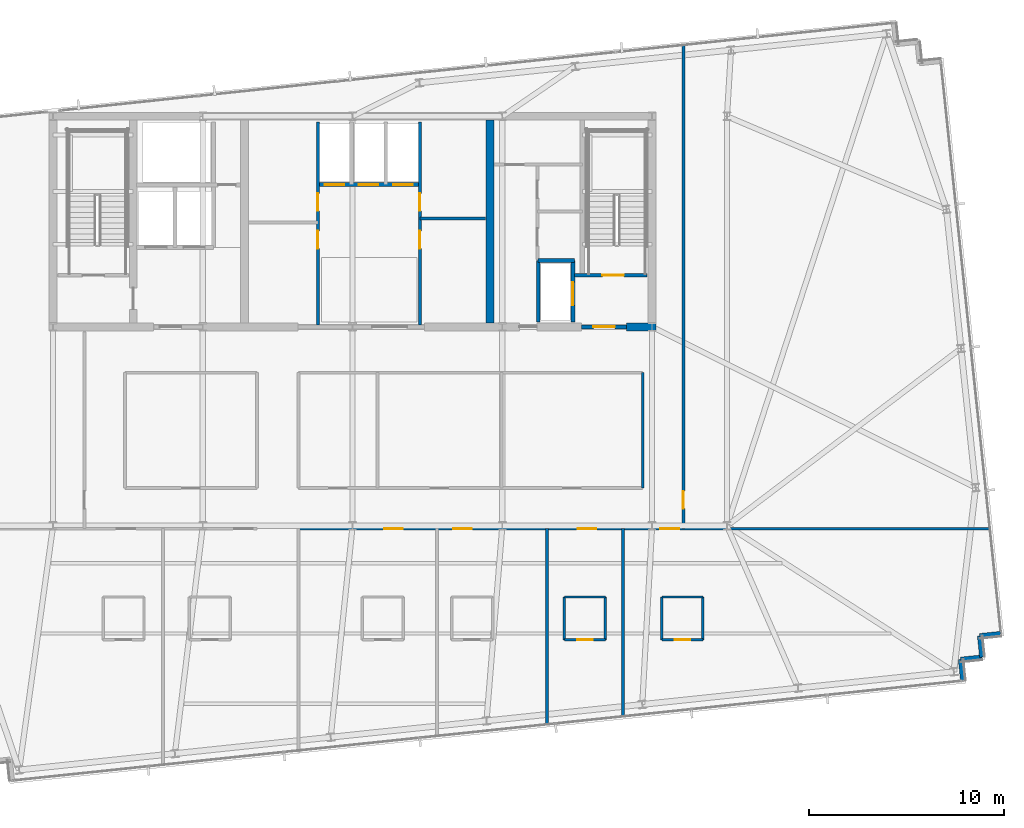
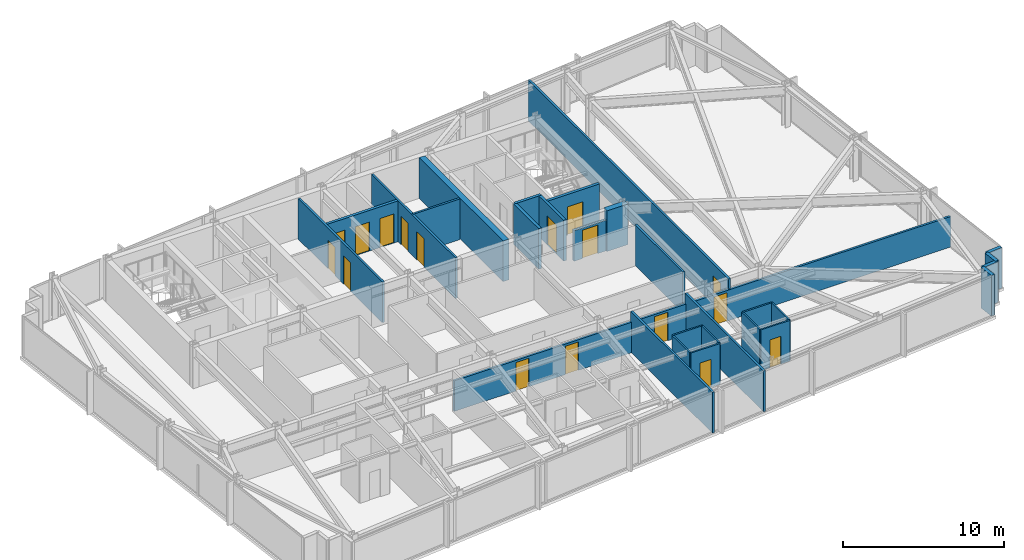
# One storey, part 28 of 33: 28 walls, 17 doors, 17 openings.
"""IFC4 building model written with IfcOpenShell, lengths in metres."""

from ifc_helpers import new_model, si_unit, direction, frame, frame_2d, origin, place, context, subcontext, project, spatial, rectangle, extrude, material, layer, layer_set, type_object, element, fill, save


model = new_model("IFC4")

# Units and contexts
model_context = context("Model", 3, precision=1e-05, world=origin(), true_north=direction((0.0, 1.0)))
body_context = subcontext(model_context, "Body", "Model", "MODEL_VIEW")
ifc_project = project(units=[si_unit("LENGTHUNIT", "METRE"), si_unit("AREAUNIT", "SQUARE_METRE"), si_unit("VOLUMEUNIT", "CUBIC_METRE"), si_unit("PLANEANGLEUNIT", "RADIAN"), si_unit("MASSUNIT", "GRAM", prefix="KILO")], contexts=[model_context])

# Site, building, storey
site_placement = place(None, origin())
site = spatial("IfcSite", under=ifc_project, at=site_placement, CompositionType="ELEMENT")
building_placement = place(site_placement, origin())
building = spatial("IfcBuilding", under=site, at=building_placement, Name="Yelkora Congress Tower", CompositionType="ELEMENT")
storey_placement = place(building_placement, frame((0.0, 0.0, 237.5)))
storey = spatial("IfcBuildingStorey", under=building, at=storey_placement, Name="L66", CompositionType="ELEMENT", Elevation=237.5)

# Walls
ifc_material_1 = material(Name="Concrete C50/60", Category="concrete")
ifc_layer_1 = layer(ifc_material_1, 0.39990234375)
ifc_layer_set_1 = layer_set([ifc_layer_1], Name="Concrete C50/60")
wall_type_1 = type_object("IfcWallType", Name="WALL-CORE-INT-400", PredefinedType="SHEAR", material=ifc_layer_set_1)
wall_1_placement = place(storey_placement, frame((52.449951171875, 35.39990234375, 0.0), z_axis=(0.0, 0.0, 1.0), x_axis=(1.0, 0.0, 0.0)))
element("IfcWall", 1, at=wall_1_placement, inside=storey, type_object=wall_type_1, Name="L66 Rear Core South-East Shear Wall B", PredefinedType="SHEAR", context=body_context, shape_type="SweptSolid", body=[
    extrude(rectangle(XDim=1.510009765625, YDim=0.39990234375, at=frame_2d((0.7548828125, 0.0))), origin(), (0.0, 0.0, 1.0), 3.080078125),
])
wall_2_placement = place(storey_placement, frame((45.449951171875, 35.60009765625, 0.0), z_axis=(0.0, 0.0, 1.0), x_axis=(0.0, 1.0, 0.0)))
element("IfcWall", 2, at=wall_2_placement, inside=storey, type_object=wall_type_1, Name="L66 Rear Core Cross Shear Wall C3", PredefinedType="SHEAR", context=body_context, shape_type="SweptSolid", body=[
    extrude(rectangle(XDim=10.39990234375, YDim=0.39990234375, at=frame_2d((5.199951171875, 0.0))), origin(), (0.0, 0.0, 1.0), 3.080078125),
])
ifc_material_2 = material(Name="Concrete C40/50", Category="concrete")
ifc_layer_2 = layer(ifc_material_2, 0.239990234375)
ifc_layer_set_2 = layer_set([ifc_layer_2], Name="Concrete C40/50")
wall_type_2 = type_object("IfcWallType", Name="WALL-EXT-LIMESTONE-240", PredefinedType="SOLIDWALL", material=ifc_layer_set_2)
for number, where, z_axis, x_axis, name in (
    (3, (71.654052734375, 19.67041015625, 0.0), (0.0, 0.0, 1.0), (-0.994521251134, -0.104534592565, 0.0), "L66 Serrated Corner Limestone Pier 16"),
    (4, (70.56005859375, 19.555419921875, 0.0), (0.0, 0.0, 1.0), (0.104534592565, -0.994521251134, 0.0), "L66 Serrated Corner Limestone Pier 17"),
    (5, (70.675048828125, 18.46142578125, 0.0), (0.0, 0.0, 1.0), (-0.994521251134, -0.104534592565, 0.0), "L66 Serrated Corner Limestone Pier 18"),
    (6, (69.5810546875, 18.346435546875, 0.0), (0.0, 0.0, 1.0), (0.104534592565, -0.994521251134, 0.0), "L66 Serrated Corner Limestone Pier 19"),
):
    element("IfcWall", number, at=place(storey_placement, frame(where, z_axis=z_axis, x_axis=x_axis)), inside=storey, type_object=wall_type_2, Name=name, PredefinedType="SOLIDWALL", context=body_context, shape_type="SweptSolid", body=[
        extrude(rectangle(XDim=1.10009765625, YDim=0.239990234375, at=frame_2d((0.550048828125, 0.0))), origin(), (0.0, 0.0, 1.0), 3.080078125),
    ])
ifc_material_3 = material(Name="Moisture-resistant gypsum partition", Category="gypsum")
ifc_layer_3 = layer(ifc_material_3, 0.1201171875)
ifc_layer_set_3 = layer_set([ifc_layer_3], Name="Moisture-resistant gypsum partition")
wall_type_3 = type_object("IfcWallType", Name="WALL-INT-120-NR", PredefinedType="PARTITIONING", material=ifc_layer_set_3)
wall_3_placement = place(storey_placement, frame((49.261962890625, 21.550048828125, 0.0), z_axis=(0.0, 0.0, 1.0), x_axis=(1.0, 0.0, 0.0)))
element("IfcWall", 7, at=wall_3_placement, inside=storey, type_object=wall_type_3, Name="L66 Partition Wall 42", PredefinedType="PARTITIONING", context=body_context, shape_type="SweptSolid", body=[
    extrude(rectangle(XDim=2.10009765625, YDim=0.1201171875, at=frame_2d((1.050048828125, 0.0))), origin(), (0.0, 0.0, 1.0), 3.080078125),
])
for number, where, z_axis, x_axis, name in (
    (8, (49.261962890625, 19.35009765625, 0.0), (0.0, 0.0, 1.0), (0.0, 1.0, 0.0), "L66 Partition Wall 43"),
    (9, (51.362060546875, 19.35009765625, 0.0), (0.0, 0.0, 1.0), (0.0, 1.0, 0.0), "L66 Partition Wall 44"),
):
    element("IfcWall", number, at=place(storey_placement, frame(where, z_axis=z_axis, x_axis=x_axis)), inside=storey, type_object=wall_type_3, Name=name, PredefinedType="PARTITIONING", context=body_context, shape_type="SweptSolid", body=[
        extrude(rectangle(XDim=2.199951171875, YDim=0.1201171875, at=frame_2d((1.10009765625, 0.0))), origin(), (0.0, 0.0, 1.0), 3.080078125),
    ])

# Wall, opening, door
wall_4_placement = place(storey_placement, frame((49.261962890625, 19.35009765625, 0.0), z_axis=(0.0, 0.0, 1.0), x_axis=(1.0, 0.0, 0.0)))
wall_4 = element("IfcWall", 10, at=wall_4_placement, inside=storey, type_object=wall_type_3, Name="L66 Partition Wall 45", PredefinedType="PARTITIONING", context=body_context, shape_type="SweptSolid", body=[
    extrude(rectangle(XDim=2.10009765625, YDim=0.1201171875, at=frame_2d((1.050048828125, 0.0))), origin(), (0.0, 0.0, 1.0), 3.080078125),
])
opening_1_placement = place(wall_4_placement, frame((0.64990234375, 0.0, 0.0)))
opening_1 = element("IfcOpeningElement", 11, at=opening_1_placement, cuts=wall_4, Name="Opening DR-080B", PredefinedType="OPENING", context=body_context, shape_type="SweptSolid", body=[
    extrude(rectangle(XDim=0.800048828125, YDim=2.10009765625, at=frame_2d((0.39990234375, 1.050048828125))), frame((0.0, 0.070068359375, 0.0), z_axis=(0.0, -1.0, 0.0), x_axis=(1.0, 0.0, 0.0)), (0.0, 0.0, 1.0), 0.14013671875),
])
ifc_material_4 = material(Name="Moisture-sealed en-suite timber door", Category="wood")
door_type_1 = type_object("IfcDoorType", Name="DOOR-BATH-800", OperationType="NOTDEFINED", PredefinedType="DOOR", material=ifc_material_4)
door_1_placement = place(opening_1_placement, origin())
door_1 = element("IfcDoor", 12, at=door_1_placement, inside=storey, type_object=door_type_1, Name="L66 En-suite Door 6", OperationType="SINGLE_SWING_RIGHT", OverallHeight=2.10009765625, OverallWidth=0.800048828125, PredefinedType="DOOR", context=body_context, shape_type="SweptSolid", body=[
    extrude(rectangle(XDim=0.800048828125, YDim=2.10009765625, at=frame_2d((0.39990234375, 1.050048828125))), frame((0.0, 0.02490234375, 0.0), z_axis=(0.0, -1.0, 0.0), x_axis=(1.0, 0.0, 0.0)), (0.0, 0.0, 1.0), 0.050048828125),
])
fill(opening_1, door_1)

# Walls
wall_5_placement = place(storey_placement, frame((54.260009765625, 21.550048828125, 0.0), z_axis=(0.0, 0.0, 1.0), x_axis=(1.0, 0.0, 0.0)))
element("IfcWall", 13, at=wall_5_placement, inside=storey, type_object=wall_type_3, Name="L66 Partition Wall 47", PredefinedType="PARTITIONING", context=body_context, shape_type="SweptSolid", body=[
    extrude(rectangle(XDim=2.10009765625, YDim=0.1201171875, at=frame_2d((1.050048828125, 0.0))), origin(), (0.0, 0.0, 1.0), 3.080078125),
])
for number, where, z_axis, x_axis, name in (
    (14, (54.260009765625, 19.35009765625, 0.0), (0.0, 0.0, 1.0), (0.0, 1.0, 0.0), "L66 Partition Wall 48"),
    (15, (56.360107421875, 19.35009765625, 0.0), (0.0, 0.0, 1.0), (0.0, 1.0, 0.0), "L66 Partition Wall 49"),
):
    element("IfcWall", number, at=place(storey_placement, frame(where, z_axis=z_axis, x_axis=x_axis)), inside=storey, type_object=wall_type_3, Name=name, PredefinedType="PARTITIONING", context=body_context, shape_type="SweptSolid", body=[
        extrude(rectangle(XDim=2.199951171875, YDim=0.1201171875, at=frame_2d((1.10009765625, 0.0))), origin(), (0.0, 0.0, 1.0), 3.080078125),
    ])

# Wall, opening, door
wall_6_placement = place(storey_placement, frame((54.260009765625, 19.35009765625, 0.0), z_axis=(0.0, 0.0, 1.0), x_axis=(1.0, 0.0, 0.0)))
wall_6 = element("IfcWall", 16, at=wall_6_placement, inside=storey, type_object=wall_type_3, Name="L66 Partition Wall 50", PredefinedType="PARTITIONING", context=body_context, shape_type="SweptSolid", body=[
    extrude(rectangle(XDim=2.10009765625, YDim=0.1201171875, at=frame_2d((1.050048828125, 0.0))), origin(), (0.0, 0.0, 1.0), 3.080078125),
])
opening_2_placement = place(wall_6_placement, frame((0.64990234375, 0.0, 0.0)))
opening_2 = element("IfcOpeningElement", 17, at=opening_2_placement, cuts=wall_6, Name="Opening DR-080B", PredefinedType="OPENING", context=body_context, shape_type="SweptSolid", body=[
    extrude(rectangle(XDim=0.800048828125, YDim=2.10009765625, at=frame_2d((0.39990234375, 1.050048828125))), frame((0.0, 0.070068359375, 0.0), z_axis=(0.0, -1.0, 0.0), x_axis=(1.0, 0.0, 0.0)), (0.0, 0.0, 1.0), 0.14013671875),
])
door_2_placement = place(opening_2_placement, origin())
door_2 = element("IfcDoor", 18, at=door_2_placement, inside=storey, type_object=door_type_1, Name="L66 En-suite Door 7", OperationType="SINGLE_SWING_LEFT", OverallHeight=2.10009765625, OverallWidth=0.800048828125, PredefinedType="DOOR", context=body_context, shape_type="SweptSolid", body=[
    extrude(rectangle(XDim=0.800048828125, YDim=2.10009765625, at=frame_2d((0.39990234375, 1.050048828125))), frame((0.0, 0.02490234375, 0.0), z_axis=(0.0, -1.0, 0.0), x_axis=(1.0, 0.0, 0.0)), (0.0, 0.0, 1.0), 0.050048828125),
])
fill(opening_2, door_2)

ifc_material_5 = material(Name="Acoustic metal-stud gypsum partition", Category="gypsum")
ifc_layer_4 = layer(ifc_material_5, 0.14990234375)
ifc_layer_set_4 = layer_set([ifc_layer_4], Name="Acoustic metal-stud gypsum partition")
wall_type_4 = type_object("IfcWallType", Name="WALL-INT-150-NR", PredefinedType="PARTITIONING", material=ifc_layer_set_4)
wall_7_placement = place(storey_placement, frame((55.360107421875, 25.050048828125, 0.0), z_axis=(0.0, 0.0, 1.0), x_axis=(0.0, 1.0, 0.0)))
wall_7 = element("IfcWall", 19, at=wall_7_placement, inside=storey, type_object=wall_type_4, Name="L66 Partition Wall 55", PredefinedType="PARTITIONING", context=body_context, shape_type="SweptSolid", body=[
    extrude(rectangle(XDim=24.86279296875, YDim=0.14990234375, at=frame_2d((12.431396484375, 0.0))), origin(), (0.0, 0.0, 1.0), 3.080078125),
])
opening_3_placement = place(wall_7_placement, frame((1.030029296875, 0.0, 0.0)))
opening_3 = element("IfcOpeningElement", 20, at=opening_3_placement, cuts=wall_7, Name="Opening DR-090N", PredefinedType="OPENING", context=body_context, shape_type="SweptSolid", body=[
    extrude(rectangle(XDim=0.89990234375, YDim=2.14990234375, at=frame_2d((0.449951171875, 1.074951171875))), frame((0.0, 0.0849609375, 0.0), z_axis=(0.0, -1.0, 0.0), x_axis=(1.0, 0.0, 0.0)), (0.0, 0.0, 1.0), 0.169921875),
])
ifc_material_6 = material(Name="Moisture-resistant laminate door leaf", Category="wood")
door_type_2 = type_object("IfcDoorType", Name="DOOR-INT-900", OperationType="NOTDEFINED", PredefinedType="DOOR", material=ifc_material_6)
door_3_placement = place(opening_3_placement, origin())
door_3 = element("IfcDoor", 21, at=door_3_placement, inside=storey, type_object=door_type_2, Name="L66 E Wing Door", OperationType="SINGLE_SWING_LEFT", OverallHeight=2.14990234375, OverallWidth=0.89990234375, PredefinedType="DOOR", context=body_context, shape_type="SweptSolid", body=[
    extrude(rectangle(XDim=0.89990234375, YDim=2.14990234375, at=frame_2d((0.449951171875, 1.074951171875))), frame((0.0, 0.02490234375, 0.0), z_axis=(0.0, -1.0, 0.0), x_axis=(1.0, 0.0, 0.0)), (0.0, 0.0, 1.0), 0.050048828125),
])
fill(opening_3, door_3)

# Wall
wall_8_placement = place(storey_placement, frame((53.280029296875, 27.1298828125, 0.0), z_axis=(0.0, 0.0, 1.0), x_axis=(0.0, 1.0, 0.0)))
element("IfcWall", 22, at=wall_8_placement, inside=storey, type_object=wall_type_4, Name="L66 Partition Wall 57", PredefinedType="PARTITIONING", context=body_context, shape_type="SweptSolid", body=[
    extrude(rectangle(XDim=5.920166015625, YDim=0.14990234375, at=frame_2d((2.9599609375, 0.0))), origin(), (0.0, 0.0, 1.0), 3.080078125),
])

# Wall, openings, doors
ifc_material_7 = material(Name="Twin-stud fire-rated gypsum partition", Category="gypsum")
ifc_layer_5 = layer(ifc_material_7, 0.14990234375)
ifc_layer_set_5 = layer_set([ifc_layer_5], Name="Twin-stud fire-rated gypsum partition")
wall_type_5 = type_object("IfcWallType", Name="WALL-INT-150-R60", PredefinedType="PARTITIONING", material=ifc_layer_set_5)
wall_9_placement = place(storey_placement, frame((36.6201171875, 35.5, 0.0), z_axis=(0.0, 0.0, 1.0), x_axis=(0.0, 1.0, 0.0)))
wall_9 = element("IfcWall", 23, at=wall_9_placement, inside=storey, type_object=wall_type_5, Name="L66 Partition Wall 12", PredefinedType="PARTITIONING", context=body_context, shape_type="SweptSolid", body=[
    extrude(rectangle(XDim=10.419921875, YDim=0.14990234375, at=frame_2d((5.2099609375, 0.0))), origin(), (0.0, 0.0, 1.0), 3.080078125),
])
opening_4_placement = place(wall_9_placement, frame((3.919921875, 0.0, 0.0)))
opening_4 = element("IfcOpeningElement", 24, at=opening_4_placement, cuts=wall_9, Name="Opening DR-090F6", PredefinedType="OPENING", context=body_context, shape_type="SweptSolid", body=[
    extrude(rectangle(XDim=0.89990234375, YDim=2.14990234375, at=frame_2d((0.449951171875, 1.074951171875))), frame((0.0, 0.0849609375, 0.0), z_axis=(0.0, -1.0, 0.0), x_axis=(1.0, 0.0, 0.0)), (0.0, 0.0, 1.0), 0.169921875),
])
opening_5_placement = place(wall_9_placement, frame((5.85009765625, 0.0, 0.0)))
opening_5 = element("IfcOpeningElement", 25, at=opening_5_placement, cuts=wall_9, Name="Opening DR-090F6", PredefinedType="OPENING", context=body_context, shape_type="SweptSolid", body=[
    extrude(rectangle(XDim=0.89990234375, YDim=2.14990234375, at=frame_2d((0.449951171875, 1.074951171875))), frame((0.0, 0.0849609375, 0.0), z_axis=(0.0, -1.0, 0.0), x_axis=(1.0, 0.0, 0.0)), (0.0, 0.0, 1.0), 0.169921875),
])
ifc_material_8 = material(Name="Painted steel riser fire door leaf", Category="steel")
door_type_3 = type_object("IfcDoorType", Name="DOOR-FD60-900", OperationType="NOTDEFINED", PredefinedType="DOOR", material=ifc_material_8)
door_4_placement = place(opening_4_placement, origin())
door_4 = element("IfcDoor", 26, at=door_4_placement, inside=storey, type_object=door_type_3, Name="L66 Telecom Store Door", OperationType="SINGLE_SWING_RIGHT", OverallHeight=2.14990234375, OverallWidth=0.89990234375, PredefinedType="DOOR", context=body_context, shape_type="SweptSolid", body=[
    extrude(rectangle(XDim=0.89990234375, YDim=2.14990234375, at=frame_2d((0.449951171875, 1.074951171875))), frame((0.0, 0.02490234375, 0.0), z_axis=(0.0, -1.0, 0.0), x_axis=(1.0, 0.0, 0.0)), (0.0, 0.0, 1.0), 0.050048828125),
])
fill(opening_4, door_4)
door_5_placement = place(opening_5_placement, origin())
door_5 = element("IfcDoor", 27, at=door_5_placement, inside=storey, type_object=door_type_3, Name="L66 Archive Store Door", OperationType="SINGLE_SWING_LEFT", OverallHeight=2.14990234375, OverallWidth=0.89990234375, PredefinedType="DOOR", context=body_context, shape_type="SweptSolid", body=[
    extrude(rectangle(XDim=0.89990234375, YDim=2.14990234375, at=frame_2d((0.449951171875, 1.074951171875))), frame((0.0, 0.02490234375, 0.0), z_axis=(0.0, -1.0, 0.0), x_axis=(1.0, 0.0, 0.0)), (0.0, 0.0, 1.0), 0.050048828125),
])
fill(opening_5, door_5)

# Wall
wall_10_placement = place(storey_placement, frame((41.85009765625, 40.949951171875, 0.0), z_axis=(0.0, 0.0, 1.0), x_axis=(1.0, 0.0, 0.0)))
element("IfcWall", 28, at=wall_10_placement, inside=storey, type_object=wall_type_5, Name="L66 Partition Wall 13", PredefinedType="PARTITIONING", context=body_context, shape_type="SweptSolid", body=[
    extrude(rectangle(XDim=3.369873046875, YDim=0.14990234375, at=frame_2d((1.68505859375, 0.0))), origin(), (0.0, 0.0, 1.0), 3.080078125),
])

# Wall, openings, doors
wall_11_placement = place(storey_placement, frame((41.85009765625, 35.5, 0.0), z_axis=(0.0, 0.0, 1.0), x_axis=(0.0, 1.0, 0.0)))
wall_11 = element("IfcWall", 29, at=wall_11_placement, inside=storey, type_object=wall_type_5, Name="L66 Partition Wall 14", PredefinedType="PARTITIONING", context=body_context, shape_type="SweptSolid", body=[
    extrude(rectangle(XDim=10.419921875, YDim=0.14990234375, at=frame_2d((5.2099609375, 0.0))), origin(), (0.0, 0.0, 1.0), 3.080078125),
])
opening_6_placement = place(wall_11_placement, frame((3.919921875, 0.0, 0.0)))
opening_6 = element("IfcOpeningElement", 30, at=opening_6_placement, cuts=wall_11, Name="Opening DR-090F6", PredefinedType="OPENING", context=body_context, shape_type="SweptSolid", body=[
    extrude(rectangle(XDim=0.89990234375, YDim=2.14990234375, at=frame_2d((0.449951171875, 1.074951171875))), frame((0.0, 0.0849609375, 0.0), z_axis=(0.0, -1.0, 0.0), x_axis=(1.0, 0.0, 0.0)), (0.0, 0.0, 1.0), 0.169921875),
])
opening_7_placement = place(wall_11_placement, frame((5.85009765625, 0.0, 0.0)))
opening_7 = element("IfcOpeningElement", 31, at=opening_7_placement, cuts=wall_11, Name="Opening DR-090F6", PredefinedType="OPENING", context=body_context, shape_type="SweptSolid", body=[
    extrude(rectangle(XDim=0.89990234375, YDim=2.14990234375, at=frame_2d((0.449951171875, 1.074951171875))), frame((0.0, 0.0849609375, 0.0), z_axis=(0.0, -1.0, 0.0), x_axis=(1.0, 0.0, 0.0)), (0.0, 0.0, 1.0), 0.169921875),
])
door_6_placement = place(opening_6_placement, origin())
door_6 = element("IfcDoor", 32, at=door_6_placement, inside=storey, type_object=door_type_3, Name="L66 High-Zone BMS Door", OperationType="SINGLE_SWING_RIGHT", OverallHeight=2.14990234375, OverallWidth=0.89990234375, PredefinedType="DOOR", context=body_context, shape_type="SweptSolid", body=[
    extrude(rectangle(XDim=0.89990234375, YDim=2.14990234375, at=frame_2d((0.449951171875, 1.074951171875))), frame((0.0, 0.02490234375, 0.0), z_axis=(0.0, -1.0, 0.0), x_axis=(1.0, 0.0, 0.0)), (0.0, 0.0, 1.0), 0.050048828125),
])
fill(opening_6, door_6)
door_7_placement = place(opening_7_placement, origin())
door_7 = element("IfcDoor", 33, at=door_7_placement, inside=storey, type_object=door_type_3, Name="L66 Linen Store Door", OperationType="SINGLE_SWING_LEFT", OverallHeight=2.14990234375, OverallWidth=0.89990234375, PredefinedType="DOOR", context=body_context, shape_type="SweptSolid", body=[
    extrude(rectangle(XDim=0.89990234375, YDim=2.14990234375, at=frame_2d((0.449951171875, 1.074951171875))), frame((0.0, 0.02490234375, 0.0), z_axis=(0.0, -1.0, 0.0), x_axis=(1.0, 0.0, 0.0)), (0.0, 0.0, 1.0), 0.050048828125),
])
fill(opening_7, door_7)

# Walls
wall_12_placement = place(storey_placement, frame((48.363037109375, 14.949951171875, 0.0), z_axis=(0.0, 0.0, 1.0), x_axis=(0.0, 1.0, 0.0)))
element("IfcWall", 34, at=wall_12_placement, inside=storey, type_object=wall_type_5, Name="L66 Partition Wall 46", PredefinedType="PARTITIONING", context=body_context, shape_type="SweptSolid", body=[
    extrude(rectangle(XDim=10.1201171875, YDim=0.14990234375, at=frame_2d((5.06005859375, 0.0))), origin(), (0.0, 0.0, 1.0), 3.080078125),
])
wall_13_placement = place(storey_placement, frame((52.260986328125, 15.359619140625, 0.0), z_axis=(0.0, 0.0, 1.0), x_axis=(0.0, 1.0, 0.0)))
element("IfcWall", 35, at=wall_13_placement, inside=storey, type_object=wall_type_5, Name="L66 Partition Wall 51", PredefinedType="PARTITIONING", context=body_context, shape_type="SweptSolid", body=[
    extrude(rectangle(XDim=9.71044921875, YDim=0.14990234375, at=frame_2d((4.855224609375, 0.0))), origin(), (0.0, 0.0, 1.0), 3.080078125),
])

# Wall, openings, doors
wall_14_placement = place(storey_placement, frame((35.6201171875, 25.050048828125, 0.0), z_axis=(0.0, 0.0, 1.0), x_axis=(1.0, 0.0, 0.0)))
wall_14 = element("IfcWall", 36, at=wall_14_placement, inside=storey, type_object=wall_type_5, Name="L66 South Spine Wall East", PredefinedType="PARTITIONING", context=body_context, shape_type="SweptSolid", body=[
    extrude(rectangle(XDim=35.52880859375, YDim=0.14990234375, at=frame_2d((17.764404296875, 0.0))), origin(), (0.0, 0.0, 1.0), 2.31298828125),
])
opening_8_placement = place(wall_14_placement, frame((4.3994140625, 0.0, 0.0)))
opening_8 = element("IfcOpeningElement", 37, at=opening_8_placement, cuts=wall_14, Name="Opening DR-095F6", PredefinedType="OPENING", context=body_context, shape_type="SweptSolid", body=[
    extrude(rectangle(XDim=0.949951171875, YDim=2.14990234375, at=frame_2d((0.47509765625, 1.074951171875))), frame((0.0, 0.0849609375, 0.0), z_axis=(0.0, -1.0, 0.0), x_axis=(1.0, 0.0, 0.0)), (0.0, 0.0, 1.0), 0.169921875),
])
opening_9_placement = place(wall_14_placement, frame((7.93701171875, 0.0, 0.0)))
opening_9 = element("IfcOpeningElement", 38, at=opening_9_placement, cuts=wall_14, Name="Opening DR-095F6", PredefinedType="OPENING", context=body_context, shape_type="SweptSolid", body=[
    extrude(rectangle(XDim=0.949951171875, YDim=2.14990234375, at=frame_2d((0.47509765625, 1.074951171875))), frame((0.0, 0.0849609375, 0.0), z_axis=(0.0, -1.0, 0.0), x_axis=(1.0, 0.0, 0.0)), (0.0, 0.0, 1.0), 0.169921875),
])
opening_10_placement = place(wall_14_placement, frame((14.33203125, 0.0, 0.0)))
opening_10 = element("IfcOpeningElement", 39, at=opening_10_placement, cuts=wall_14, Name="Opening DR-095F6", PredefinedType="OPENING", context=body_context, shape_type="SweptSolid", body=[
    extrude(rectangle(XDim=0.949951171875, YDim=2.14990234375, at=frame_2d((0.47509765625, 1.074951171875))), frame((0.0, 0.0849609375, 0.0), z_axis=(0.0, -1.0, 0.0), x_axis=(1.0, 0.0, 0.0)), (0.0, 0.0, 1.0), 0.169921875),
])
opening_11_placement = place(wall_14_placement, frame((18.570068359375, 0.0, 0.0)))
opening_11 = element("IfcOpeningElement", 40, at=opening_11_placement, cuts=wall_14, Name="Opening DR-095F6", PredefinedType="OPENING", context=body_context, shape_type="SweptSolid", body=[
    extrude(rectangle(XDim=0.949951171875, YDim=2.14990234375, at=frame_2d((0.47509765625, 1.074951171875))), frame((0.0, 0.0849609375, 0.0), z_axis=(0.0, -1.0, 0.0), x_axis=(1.0, 0.0, 0.0)), (0.0, 0.0, 1.0), 0.169921875),
])
ifc_material_9 = material(Name="Acoustic oak-veneer fire door leaf", Category="wood")
door_type_4 = type_object("IfcDoorType", Name="DOOR-FD60-950", OperationType="NOTDEFINED", PredefinedType="DOOR", material=ifc_material_9)
door_8_placement = place(opening_8_placement, origin())
door_8 = element("IfcDoor", 41, at=door_8_placement, inside=storey, type_object=door_type_4, Name="L66 Diplomatic Suite 04 Entry Door", OperationType="SINGLE_SWING_RIGHT", OverallHeight=2.14990234375, OverallWidth=0.949951171875, PredefinedType="DOOR", context=body_context, shape_type="SweptSolid", body=[
    extrude(rectangle(XDim=0.949951171875, YDim=2.14990234375, at=frame_2d((0.47509765625, 1.074951171875))), frame((0.0, 0.02490234375, 0.0), z_axis=(0.0, -1.0, 0.0), x_axis=(1.0, 0.0, 0.0)), (0.0, 0.0, 1.0), 0.050048828125),
])
fill(opening_8, door_8)
door_9_placement = place(opening_9_placement, origin())
door_9 = element("IfcDoor", 42, at=door_9_placement, inside=storey, type_object=door_type_4, Name="L66 Diplomatic Suite 05 Entry Door", OperationType="SINGLE_SWING_LEFT", OverallHeight=2.14990234375, OverallWidth=0.949951171875, PredefinedType="DOOR", context=body_context, shape_type="SweptSolid", body=[
    extrude(rectangle(XDim=0.949951171875, YDim=2.14990234375, at=frame_2d((0.47509765625, 1.074951171875))), frame((0.0, 0.02490234375, 0.0), z_axis=(0.0, -1.0, 0.0), x_axis=(1.0, 0.0, 0.0)), (0.0, 0.0, 1.0), 0.050048828125),
])
fill(opening_9, door_9)
door_10_placement = place(opening_10_placement, origin())
door_10 = element("IfcDoor", 43, at=door_10_placement, inside=storey, type_object=door_type_4, Name="L66 Diplomatic Suite 06 Entry Door", OperationType="SINGLE_SWING_RIGHT", OverallHeight=2.14990234375, OverallWidth=0.949951171875, PredefinedType="DOOR", context=body_context, shape_type="SweptSolid", body=[
    extrude(rectangle(XDim=0.949951171875, YDim=2.14990234375, at=frame_2d((0.47509765625, 1.074951171875))), frame((0.0, 0.02490234375, 0.0), z_axis=(0.0, -1.0, 0.0), x_axis=(1.0, 0.0, 0.0)), (0.0, 0.0, 1.0), 0.050048828125),
])
fill(opening_10, door_10)
door_11_placement = place(opening_11_placement, origin())
door_11 = element("IfcDoor", 44, at=door_11_placement, inside=storey, type_object=door_type_4, Name="L66 Diplomatic Suite 07 Entry Door", OperationType="SINGLE_SWING_LEFT", OverallHeight=2.14990234375, OverallWidth=0.949951171875, PredefinedType="DOOR", context=body_context, shape_type="SweptSolid", body=[
    extrude(rectangle(XDim=0.949951171875, YDim=2.14990234375, at=frame_2d((0.47509765625, 1.074951171875))), frame((0.0, 0.02490234375, 0.0), z_axis=(0.0, -1.0, 0.0), x_axis=(1.0, 0.0, 0.0)), (0.0, 0.0, 1.0), 0.050048828125),
])
fill(opening_11, door_11)

ifc_material_10 = material(Name="Autoclaved aerated concrete blockwork", Category="masonry")
ifc_layer_6 = layer(ifc_material_10, 0.199951171875)
ifc_layer_set_6 = layer_set([ifc_layer_6], Name="Autoclaved aerated concrete blockwork")
wall_type_6 = type_object("IfcWallType", Name="WALL-INT-200-R120", PredefinedType="PARTITIONING", material=ifc_layer_set_6)
wall_15_placement = place(storey_placement, frame((36.60009765625, 42.699951171875, 0.0), z_axis=(0.0, 0.0, 1.0), x_axis=(1.0, 0.0, 0.0)))
wall_15 = element("IfcWall", 45, at=wall_15_placement, inside=storey, type_object=wall_type_6, Name="L66 Partition Wall 8", PredefinedType="PARTITIONING", context=body_context, shape_type="SweptSolid", body=[
    extrude(rectangle(XDim=5.25, YDim=0.199951171875, at=frame_2d((2.625, 0.0))), origin(), (0.0, 0.0, 1.0), 3.080078125),
])
opening_12_placement = place(wall_15_placement, frame((0.375, 0.0, 0.0)))
opening_12 = element("IfcOpeningElement", 46, at=opening_12_placement, cuts=wall_15, Name="Opening LD-PS10", PredefinedType="OPENING", context=body_context, shape_type="SweptSolid", body=[
    extrude(rectangle(XDim=1.0, YDim=2.199951171875, at=frame_2d((0.5, 1.10009765625))), frame((0.0, 0.10986328125, 0.0), z_axis=(0.0, -1.0, 0.0), x_axis=(1.0, 0.0, 0.0)), (0.0, 0.0, 1.0), 0.219970703125),
])
opening_13_placement = place(wall_15_placement, frame((2.125, 0.0, 0.0)))
opening_13 = element("IfcOpeningElement", 47, at=opening_13_placement, cuts=wall_15, Name="Opening LD-PS10", PredefinedType="OPENING", context=body_context, shape_type="SweptSolid", body=[
    extrude(rectangle(XDim=1.0, YDim=2.199951171875, at=frame_2d((0.5, 1.10009765625))), frame((0.0, 0.10986328125, 0.0), z_axis=(0.0, -1.0, 0.0), x_axis=(1.0, 0.0, 0.0)), (0.0, 0.0, 1.0), 0.219970703125),
])
opening_14_placement = place(wall_15_placement, frame((3.875, 0.0, 0.0)))
opening_14 = element("IfcOpeningElement", 48, at=opening_14_placement, cuts=wall_15, Name="Opening LD-PS10", PredefinedType="OPENING", context=body_context, shape_type="SweptSolid", body=[
    extrude(rectangle(XDim=1.0, YDim=2.199951171875, at=frame_2d((0.5, 1.10009765625))), frame((0.0, 0.10986328125, 0.0), z_axis=(0.0, -1.0, 0.0), x_axis=(1.0, 0.0, 0.0)), (0.0, 0.0, 1.0), 0.219970703125),
])
ifc_material_11 = material(Name="Champagne stainless steel landing door", Category="steel")
door_type_5 = type_object("IfcDoorType", Name="DOOR-LIFT-PAS-1000", OperationType="DOUBLE_DOOR_SLIDING", PredefinedType="DOOR", material=ifc_material_11)
door_12_placement = place(opening_12_placement, origin())
door_12 = element("IfcDoor", 49, at=door_12_placement, inside=storey, type_object=door_type_5, Name="Lift Landing Door LF-P9 L66", OperationType="DOUBLE_DOOR_SLIDING", OverallHeight=2.199951171875, OverallWidth=1.0, PredefinedType="DOOR", context=body_context, shape_type="SweptSolid", body=[
    extrude(rectangle(XDim=1.0, YDim=2.199951171875, at=frame_2d((0.5, 1.10009765625))), frame((0.0, 0.02490234375, 0.0), z_axis=(0.0, -1.0, 0.0), x_axis=(1.0, 0.0, 0.0)), (0.0, 0.0, 1.0), 0.050048828125),
])
fill(opening_12, door_12)
door_13_placement = place(opening_13_placement, origin())
door_13 = element("IfcDoor", 50, at=door_13_placement, inside=storey, type_object=door_type_5, Name="Lift Landing Door LF-P10 L66", OperationType="DOUBLE_DOOR_SLIDING", OverallHeight=2.199951171875, OverallWidth=1.0, PredefinedType="DOOR", context=body_context, shape_type="SweptSolid", body=[
    extrude(rectangle(XDim=1.0, YDim=2.199951171875, at=frame_2d((0.5, 1.10009765625))), frame((0.0, 0.02490234375, 0.0), z_axis=(0.0, -1.0, 0.0), x_axis=(1.0, 0.0, 0.0)), (0.0, 0.0, 1.0), 0.050048828125),
])
fill(opening_13, door_13)
door_14_placement = place(opening_14_placement, origin())
door_14 = element("IfcDoor", 51, at=door_14_placement, inside=storey, type_object=door_type_5, Name="Lift Landing Door LF-P11 L66", OperationType="DOUBLE_DOOR_SLIDING", OverallHeight=2.199951171875, OverallWidth=1.0, PredefinedType="DOOR", context=body_context, shape_type="SweptSolid", body=[
    extrude(rectangle(XDim=1.0, YDim=2.199951171875, at=frame_2d((0.5, 1.10009765625))), frame((0.0, 0.02490234375, 0.0), z_axis=(0.0, -1.0, 0.0), x_axis=(1.0, 0.0, 0.0)), (0.0, 0.0, 1.0), 0.050048828125),
])
fill(opening_14, door_14)

# Wall, opening, door
wall_16_placement = place(storey_placement, frame((49.780029296875, 38.050048828125, 0.0), z_axis=(0.0, 0.0, 1.0), x_axis=(1.0, 0.0, 0.0)))
wall_16 = element("IfcWall", 52, at=wall_16_placement, inside=storey, type_object=wall_type_6, Name="L66 Stair ST-02 Enclosure Wall", PredefinedType="PARTITIONING", context=body_context, shape_type="SweptSolid", body=[
    extrude(rectangle(XDim=3.719970703125, YDim=0.199951171875, at=frame_2d((1.85986328125, 0.0))), origin(), (0.0, 0.0, 1.0), 3.080078125),
])
opening_15_placement = place(wall_16_placement, frame((1.436279296875, 0.0, 0.0)))
opening_15 = element("IfcOpeningElement", 53, at=opening_15_placement, cuts=wall_16, Name="Opening DR-110F9", PredefinedType="OPENING", context=body_context, shape_type="SweptSolid", body=[
    extrude(rectangle(XDim=1.10009765625, YDim=2.14990234375, at=frame_2d((0.550048828125, 1.074951171875))), frame((0.0, 0.10986328125, 0.0), z_axis=(0.0, -1.0, 0.0), x_axis=(1.0, 0.0, 0.0)), (0.0, 0.0, 1.0), 0.219970703125),
])
ifc_material_12 = material(Name="Galvanised steel fire door leaf", Category="steel")
door_type_6 = type_object("IfcDoorType", Name="DOOR-FD90-1100", OperationType="NOTDEFINED", PredefinedType="DOOR", material=ifc_material_12)
door_15_placement = place(opening_15_placement, origin())
door_15 = element("IfcDoor", 54, at=door_15_placement, inside=storey, type_object=door_type_6, Name="L66 Stair ST-02 Entry Door", OperationType="SINGLE_SWING_RIGHT", OverallHeight=2.14990234375, OverallWidth=1.10009765625, PredefinedType="DOOR", context=body_context, shape_type="SweptSolid", body=[
    extrude(rectangle(XDim=1.10009765625, YDim=2.14990234375, at=frame_2d((0.550048828125, 1.074951171875))), frame((0.0, 0.02490234375, 0.0), z_axis=(0.0, -1.0, 0.0), x_axis=(1.0, 0.0, 0.0)), (0.0, 0.0, 1.0), 0.050048828125),
])
fill(opening_15, door_15)

wall_17_placement = place(storey_placement, frame((50.14990234375, 35.39990234375, 0.0), z_axis=(0.0, 0.0, 1.0), x_axis=(1.0, 0.0, 0.0)))
wall_17 = element("IfcWall", 55, at=wall_17_placement, inside=storey, type_object=wall_type_6, Name="L66 Partition Wall 16", PredefinedType="PARTITIONING", context=body_context, shape_type="SweptSolid", body=[
    extrude(rectangle(XDim=2.300048828125, YDim=0.199951171875, at=frame_2d((1.14990234375, 0.0))), origin(), (0.0, 0.0, 1.0), 2.31298828125),
])
opening_16_placement = place(wall_17_placement, frame((0.60009765625, 0.0, 0.0)))
opening_16 = element("IfcOpeningElement", 56, at=opening_16_placement, cuts=wall_17, Name="Opening DR-110F9", PredefinedType="OPENING", context=body_context, shape_type="SweptSolid", body=[
    extrude(rectangle(XDim=1.10009765625, YDim=2.14990234375, at=frame_2d((0.550048828125, 1.074951171875))), frame((0.0, 0.10986328125, 0.0), z_axis=(0.0, -1.0, 0.0), x_axis=(1.0, 0.0, 0.0)), (0.0, 0.0, 1.0), 0.219970703125),
])
door_16_placement = place(opening_16_placement, origin())
door_16 = element("IfcDoor", 57, at=door_16_placement, inside=storey, type_object=door_type_6, Name="L66 East Stair Lobby Door", OperationType="SINGLE_SWING_LEFT", OverallHeight=2.14990234375, OverallWidth=1.10009765625, PredefinedType="DOOR", context=body_context, shape_type="SweptSolid", body=[
    extrude(rectangle(XDim=1.10009765625, YDim=2.14990234375, at=frame_2d((0.550048828125, 1.074951171875))), frame((0.0, 0.02490234375, 0.0), z_axis=(0.0, -1.0, 0.0), x_axis=(1.0, 0.0, 0.0)), (0.0, 0.0, 1.0), 0.050048828125),
])
fill(opening_16, door_16)

wall_18_placement = place(storey_placement, frame((49.699951171875, 35.64990234375, 0.0), z_axis=(0.0, 0.0, 1.0), x_axis=(0.0, 1.0, 0.0)))
wall_18 = element("IfcWall", 58, at=wall_18_placement, inside=storey, type_object=wall_type_6, Name="L66 Partition Wall 17", PredefinedType="PARTITIONING", context=body_context, shape_type="SweptSolid", body=[
    extrude(rectangle(XDim=3.150146484375, YDim=0.199951171875, at=frame_2d((1.5751953125, 0.0))), origin(), (0.0, 0.0, 1.0), 3.080078125),
])
opening_17_placement = place(wall_18_placement, frame((0.85009765625, 0.0, 0.0)))
opening_17 = element("IfcOpeningElement", 59, at=opening_17_placement, cuts=wall_18, Name="Opening LD-SV12", PredefinedType="OPENING", context=body_context, shape_type="SweptSolid", body=[
    extrude(rectangle(XDim=1.199951171875, YDim=2.199951171875, at=frame_2d((0.60009765625, 1.10009765625))), frame((0.0, 0.10986328125, 0.0), z_axis=(0.0, -1.0, 0.0), x_axis=(1.0, 0.0, 0.0)), (0.0, 0.0, 1.0), 0.219970703125),
])
ifc_material_13 = material(Name="Heavy-duty stainless steel landing door", Category="steel")
door_type_7 = type_object("IfcDoorType", Name="DOOR-LIFT-SRV-1200", OperationType="DOUBLE_DOOR_SLIDING", PredefinedType="DOOR", material=ifc_material_13)
door_17_placement = place(opening_17_placement, origin())
door_17 = element("IfcDoor", 60, at=door_17_placement, inside=storey, type_object=door_type_7, Name="Service Lift Landing Door LF-SV1 L66", OperationType="DOUBLE_DOOR_SLIDING", OverallHeight=2.199951171875, OverallWidth=1.199951171875, PredefinedType="DOOR", context=body_context, shape_type="SweptSolid", body=[
    extrude(rectangle(XDim=1.199951171875, YDim=2.199951171875, at=frame_2d((0.60009765625, 1.10009765625))), frame((0.0, 0.02490234375, 0.0), z_axis=(0.0, -1.0, 0.0), x_axis=(1.0, 0.0, 0.0)), (0.0, 0.0, 1.0), 0.050048828125),
])
fill(opening_17, door_17)

# Walls
wall_19_placement = place(storey_placement, frame((47.919921875, 35.64990234375, 0.0), z_axis=(0.0, 0.0, 1.0), x_axis=(0.0, 1.0, 0.0)))
element("IfcWall", 61, at=wall_19_placement, inside=storey, type_object=wall_type_6, Name="L66 Partition Wall 18", PredefinedType="PARTITIONING", context=body_context, shape_type="SweptSolid", body=[
    extrude(rectangle(XDim=3.150146484375, YDim=0.199951171875, at=frame_2d((1.5751953125, 0.0))), origin(), (0.0, 0.0, 1.0), 3.080078125),
])
wall_20_placement = place(storey_placement, frame((47.919921875, 38.800048828125, 0.0), z_axis=(0.0, 0.0, 1.0), x_axis=(1.0, 0.0, 0.0)))
element("IfcWall", 62, at=wall_20_placement, inside=storey, type_object=wall_type_6, Name="L66 Partition Wall 19", PredefinedType="PARTITIONING", context=body_context, shape_type="SweptSolid", body=[
    extrude(rectangle(XDim=1.860107421875, YDim=0.199951171875, at=frame_2d((0.93017578125, 0.0))), origin(), (0.0, 0.0, 1.0), 3.080078125),
])

save(model, "model.ifc")
